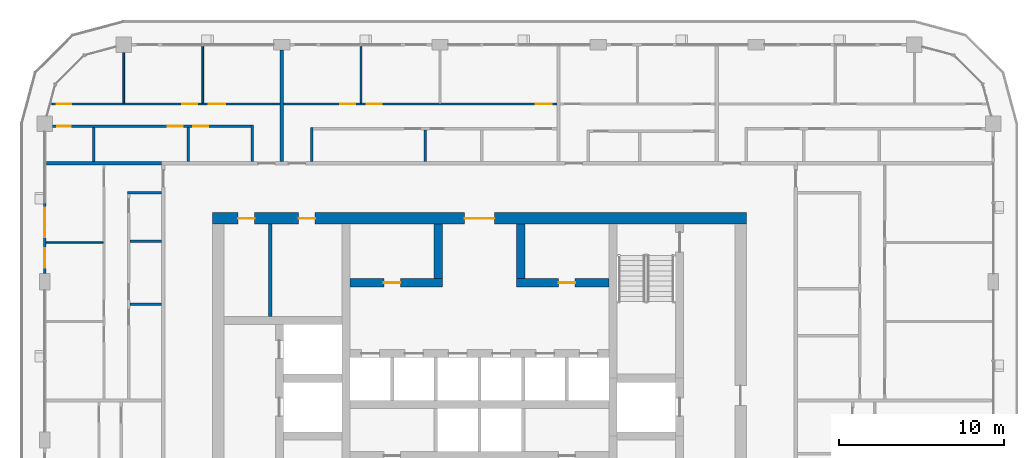
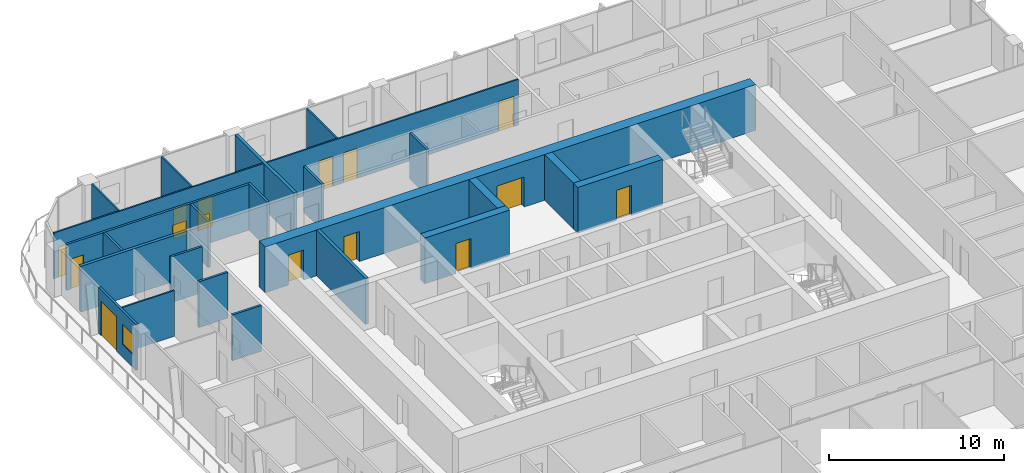
# One storey, part 13 of 21: 24 walls, 15 doors, 1 window, 16 openings.
"""IFC4 building model written with IfcOpenShell, lengths in metres."""

import ifcopenshell
import ifcopenshell.guid

model = None  # the IFC model being written
_history = None  # IfcOwnerHistory: only IFC2X3 demands one
_inside = {}  # id of a spatial element -> (the spatial element, [elements in it])
_under = {}  # id of a project, library or spatial element -> (it, [spatial elements below it])
_declared = {}  # id of a project -> (the project, [libraries it declares])
_typed = {}  # id of a type object -> (the type object, [elements of that type])
_made_of = {}  # id of a material, layer set ... -> (it, [elements and type objects made of it])


def new_model(schema):
    """Start an empty IFC model of exactly this schema.

    Asked for "IFC4X3", IfcOpenShell would pick the latest addendum, in which some entities
    have other attributes; the version numbers below select the first issue.
    IFC2X3 requires an IfcOwnerHistory on every rooted entity: one is made here for all.
    """
    global model, _history
    if schema == "IFC4X3":
        model = ifcopenshell.file(schema_version=(4, 3, 0, 0))
    else:
        model = ifcopenshell.file(schema=schema)
    _inside.clear()
    _under.clear()
    _declared.clear()
    _typed.clear()
    _made_of.clear()
    _history = None
    if model.schema == "IFC2X3":
        org = make("IfcOrganization", Name="unknown")
        user = make(
            "IfcPersonAndOrganization",
            ThePerson=make("IfcPerson", FamilyName="unknown"),
            TheOrganization=org,
        )
        app = make(
            "IfcApplication",
            ApplicationDeveloper=org,
            Version="unknown",
            ApplicationFullName="unknown",
            ApplicationIdentifier="unknown",
        )
        _history = make(
            "IfcOwnerHistory",
            OwningUser=user,
            OwningApplication=app,
            ChangeAction="ADDED",
            CreationDate=0,
        )
    return model


def make(cls, **values):
    """One entity of the class cls with the attributes given. An attribute that is None is left unset."""
    return model.create_entity(
        cls, **{name: value for name, value in values.items() if value is not None}
    )


def rooted(cls, **values):
    """An entity with a GlobalId (a new one), such as an element, a storey or a relation."""
    return make(cls, GlobalId=ifcopenshell.guid.new(), OwnerHistory=_history, **values)


def si_unit(unit_type, name, prefix=None):
    """IfcSIUnit, for example si_unit("LENGTHUNIT", "METRE", prefix="MILLI")."""
    return make("IfcSIUnit", UnitType=unit_type, Prefix=prefix, Name=name)


def assignment(units):
    """IfcUnitAssignment: the units of a project."""
    return None if units is None else make("IfcUnitAssignment", Units=units)


def point(xyz):
    """IfcCartesianPoint."""
    return None if xyz is None else make("IfcCartesianPoint", Coordinates=xyz)


def direction(xyz):
    """IfcDirection."""
    return None if xyz is None else make("IfcDirection", DirectionRatios=xyz)


def frame(location, z_axis=None, x_axis=None):
    """IfcAxis2Placement3D, a coordinate frame: its origin and axes. An axis left out is left unset."""
    return make(
        "IfcAxis2Placement3D",
        Location=point(location),
        Axis=direction(z_axis),
        RefDirection=direction(x_axis),
    )


def frame_2d(location, x_axis=None):
    """IfcAxis2Placement2D, a coordinate frame in the plane: its origin and x axis."""
    return make(
        "IfcAxis2Placement2D", Location=point(location), RefDirection=direction(x_axis)
    )


def origin():
    """The frame at (0, 0, 0) with its axes left unset."""
    return frame((0.0, 0.0, 0.0))


def place(relative_to, where):
    """IfcLocalPlacement: puts the frame where relative to a parent placement (None: the world)."""
    return make(
        "IfcLocalPlacement", PlacementRelTo=relative_to, RelativePlacement=where
    )


def context(
    kind, dimensions, precision=None, world=None, true_north=None, identifier=None
):
    """IfcGeometricRepresentationContext, for example the 3D "Model" context."""
    return make(
        "IfcGeometricRepresentationContext",
        ContextIdentifier=identifier,
        ContextType=kind,
        CoordinateSpaceDimension=dimensions,
        Precision=precision,
        WorldCoordinateSystem=world,
        TrueNorth=true_north,
    )


def subcontext(parent, identifier, kind, view, scale=None):
    """IfcGeometricRepresentationSubContext, for example "Body" below "Model"."""
    return make(
        "IfcGeometricRepresentationSubContext",
        ContextIdentifier=identifier,
        ContextType=kind,
        ParentContext=parent,
        TargetScale=scale,
        TargetView=view,
    )


def project(units=None, contexts=None):
    """IfcProject with its units and contexts."""
    return rooted(
        "IfcProject",
        Name="project",
        RepresentationContexts=contexts,
        UnitsInContext=assignment(units),
    )


def spatial(cls, under=None, at=None, **own):
    """A site, building, storey or space (cls), placed at a placement, below another one or the project."""
    s = rooted(cls, ObjectPlacement=at, **own)
    if under is not None:
        _under.setdefault(under.id(), (under, []))[1].append(s)
    return s


def profile(cls, at=None, kind="AREA", **sizes):
    """A parametric profile (cls). Its sizes go by their IFC names, for example OverallWidth=200.0."""
    return make(cls, ProfileType=kind, Position=at, **sizes)


def rectangle(**sizes):
    """IfcRectangleProfileDef."""
    return profile("IfcRectangleProfileDef", **sizes)


def extrude(swept, where, along, depth):
    """IfcExtrudedAreaSolid: the profile swept, set in the frame where, extruded along a direction by depth."""
    return make(
        "IfcExtrudedAreaSolid",
        SweptArea=swept,
        Position=where,
        ExtrudedDirection=direction(along),
        Depth=depth,
    )


def shape(context_of_items, identifier, shape_type, items):
    """IfcShapeRepresentation: the items that make up one representation, for example the "Body"."""
    return make(
        "IfcShapeRepresentation",
        ContextOfItems=context_of_items,
        RepresentationIdentifier=identifier,
        RepresentationType=shape_type,
        Items=items,
    )


def material(Name=None, Category=None):
    """IfcMaterial."""
    return make("IfcMaterial", Name=Name, Category=Category)


def layer(
    of_material, thickness, ventilated=None, Name=None, Category=None, Priority=None
):
    """IfcMaterialLayer: one layer of a wall or slab, of a material (None: an air gap)."""
    return make(
        "IfcMaterialLayer",
        Material=of_material,
        LayerThickness=thickness,
        IsVentilated=ventilated,
        Name=Name,
        Category=Category,
        Priority=Priority,
    )


def layer_set(layers, Name=None):
    """IfcMaterialLayerSet."""
    return make("IfcMaterialLayerSet", MaterialLayers=layers, LayerSetName=Name)


def made_of(thing, what):
    """Note that an element or type object is made of a material, layer set ...; save() writes the relation."""
    if what is not None:
        _made_of.setdefault(what.id(), (what, []))[1].append(thing)
    return thing


def type_object(cls, material=None, **own):
    """A type object (cls), such as IfcWallType, which elements share."""
    return made_of(rooted(cls, **own), material)


def element(
    cls,
    number,
    at=None,
    inside=None,
    cuts=None,
    type_object=None,
    material=None,
    context=None,
    identifier="Body",
    shape_type=None,
    held_by="IfcProductDefinitionShape",
    body=None,
    shapes=None,
    **own,
):
    """One element of the class cls, such as IfcWall. Its Tag is "e" and its number.

    at: its placement. inside: the storey or other place that contains it. cuts: it is an
    opening in that element (IfcRelVoidsElement). A single representation is given by context,
    identifier, shape_type and body (its items); several are given by shapes. held_by: the class
    of the entity that holds the representations. save() writes the other relations.
    """
    e = rooted(cls, Tag="e%d" % number, ObjectPlacement=at, **own)
    if body is not None:
        shapes = [shape(context, identifier, shape_type, body)]
    if shapes is not None:
        e.Representation = make(held_by, Representations=shapes)
    if inside is not None:
        _inside.setdefault(inside.id(), (inside, []))[1].append(e)
    if cuts is not None:
        rooted(
            "IfcRelVoidsElement", RelatingBuildingElement=cuts, RelatedOpeningElement=e
        )
    if type_object is not None:
        _typed.setdefault(type_object.id(), (type_object, []))[1].append(e)
    return made_of(e, material)


def fill(opening, filler):
    """IfcRelFillsElement: the door or window that sits in an opening."""
    return rooted(
        "IfcRelFillsElement",
        RelatingOpeningElement=opening,
        RelatedBuildingElement=filler,
    )


def aggregate(whole, parts):
    """IfcRelAggregates: a whole, such as a stair, and the parts it consists of."""
    return rooted("IfcRelAggregates", RelatingObject=whole, RelatedObjects=parts)


def save(model, path):
    """Write the relations noted so far, then the file.

    IfcRelAggregates (storeys below a building ...), IfcRelContainedInSpatialStructure (elements
    in a storey), IfcRelDefinesByType, IfcRelAssociatesMaterial and IfcRelDeclares: one each for
    every whole, place, type object, material and project.
    """
    for whole, parts in _under.values():
        aggregate(whole, parts)
    for where, things in _inside.values():
        rooted(
            "IfcRelContainedInSpatialStructure",
            RelatedElements=things,
            RelatingStructure=where,
        )
    for kind, things in _typed.values():
        rooted("IfcRelDefinesByType", RelatedObjects=things, RelatingType=kind)
    for what, things in _made_of.values():
        rooted("IfcRelAssociatesMaterial", RelatedObjects=things, RelatingMaterial=what)
    for by, libraries in _declared.values():
        rooted("IfcRelDeclares", RelatingContext=by, RelatedDefinitions=libraries)
    model.write(path)


model = new_model("IFC4")

# Units and contexts
model_context = context("Model", 3, precision=1e-05, world=origin(), true_north=direction((0.0, 1.0)))
body_context = subcontext(model_context, "Body", "Model", "MODEL_VIEW")
ifc_project = project(units=[si_unit("LENGTHUNIT", "METRE"), si_unit("AREAUNIT", "SQUARE_METRE"), si_unit("VOLUMEUNIT", "CUBIC_METRE"), si_unit("PLANEANGLEUNIT", "RADIAN"), si_unit("MASSUNIT", "GRAM", prefix="KILO")], contexts=[model_context])

# Site, building, storey
site_placement = place(None, origin())
site = spatial("IfcSite", under=ifc_project, at=site_placement, CompositionType="ELEMENT")
building_placement = place(site_placement, origin())
building = spatial("IfcBuilding", under=site, at=building_placement, Name="Madar Terraces", CompositionType="ELEMENT")
storey_placement = place(building_placement, frame((0.0, 0.0, 196.39990234375)))
storey = spatial("IfcBuildingStorey", under=building, at=storey_placement, Name="L51", CompositionType="ELEMENT", Elevation=196.39990234375)

# Wall, opening, door
ifc_material_1 = material(Name="Concrete C60/75", Category="concrete")
ifc_layer_1 = layer(ifc_material_1, 0.5)
ifc_layer_set_1 = layer_set([ifc_layer_1], Name="Concrete C60/75 (CIW4 RC wall 500)")
wall_type_1 = type_object("IfcWallType", Name="CIW4 RC wall 500", PredefinedType="SHEAR", material=ifc_layer_set_1)
wall_1_placement = place(storey_placement, frame((23.35009765625, 33.550048828125, 0.0), z_axis=(0.0, 0.0, 1.0), x_axis=(1.0, 0.0, 0.0)))
wall_1 = element("IfcWall", 1, at=wall_1_placement, inside=storey, type_object=wall_type_1, Name="CORE SHAFT WALL", PredefinedType="SHEAR", context=body_context, shape_type="SweptSolid", body=[
    extrude(rectangle(XDim=5.599853515625, YDim=0.5, at=frame_2d((2.7998046875, 0.0))), origin(), (0.0, 0.0, 1.0), 3.2001953125),
])
opening_1_placement = place(wall_1_placement, frame((2.050048828125, 0.0, 0.0)))
opening_1 = element("IfcOpeningElement", 2, at=opening_1_placement, cuts=wall_1, Name="Opening KD2", PredefinedType="OPENING", context=body_context, shape_type="SweptSolid", body=[
    extrude(rectangle(XDim=1.0, YDim=2.10009765625, at=frame_2d((0.5, 1.050048828125))), frame((0.0, 0.260009765625, 0.0), z_axis=(0.0, -1.0, 0.0), x_axis=(1.0, 0.0, 0.0)), (0.0, 0.0, 1.0), 0.52001953125),
])
ifc_material_2 = material(Name="Steel door leaf", Category="steel")
door_type_1 = type_object("IfcDoorType", Name="Service room door 1000 x 2100", OperationType="NOTDEFINED", PredefinedType="DOOR", material=ifc_material_2)
door_1_placement = place(opening_1_placement, frame((1.0, 0.0, 0.0), z_axis=(0.0, 0.0, 1.0), x_axis=(-1.0, 0.0, 0.0)))
door_1 = element("IfcDoor", 3, at=door_1_placement, inside=storey, type_object=door_type_1, Name="SERVICE ROOM DOOR", OperationType="SINGLE_SWING_RIGHT", OverallHeight=2.10009765625, OverallWidth=1.0, PredefinedType="DOOR", context=body_context, shape_type="SweptSolid", body=[
    extrude(rectangle(XDim=1.0, YDim=2.10009765625, at=frame_2d((0.5, 1.050048828125))), frame((0.0, 0.02490234375, 0.0), z_axis=(0.0, -1.0, 0.0), x_axis=(1.0, 0.0, 0.0)), (0.0, 0.0, 1.0), 0.050048828125),
])
fill(opening_1, door_1)

wall_2_placement = place(storey_placement, frame((33.449951171875, 33.550048828125, 0.0), z_axis=(0.0, 0.0, 1.0), x_axis=(1.0, 0.0, 0.0)))
wall_2 = element("IfcWall", 4, at=wall_2_placement, inside=storey, type_object=wall_type_1, Name="CORE SHAFT WALL", PredefinedType="SHEAR", context=body_context, shape_type="SweptSolid", body=[
    extrude(rectangle(XDim=5.60009765625, YDim=0.5, at=frame_2d((2.800048828125, 0.0))), origin(), (0.0, 0.0, 1.0), 3.2001953125),
])
opening_2_placement = place(wall_2_placement, frame((2.550048828125, 0.0, 0.0)))
opening_2 = element("IfcOpeningElement", 5, at=opening_2_placement, cuts=wall_2, Name="Opening KD2", PredefinedType="OPENING", context=body_context, shape_type="SweptSolid", body=[
    extrude(rectangle(XDim=1.0, YDim=2.10009765625, at=frame_2d((0.5, 1.050048828125))), frame((0.0, 0.260009765625, 0.0), z_axis=(0.0, -1.0, 0.0), x_axis=(1.0, 0.0, 0.0)), (0.0, 0.0, 1.0), 0.52001953125),
])
door_2_placement = place(opening_2_placement, frame((1.0, 0.0, 0.0), z_axis=(0.0, 0.0, 1.0), x_axis=(-1.0, 0.0, 0.0)))
door_2 = element("IfcDoor", 6, at=door_2_placement, inside=storey, type_object=door_type_1, Name="SERVICE ROOM DOOR", OperationType="SINGLE_SWING_LEFT", OverallHeight=2.10009765625, OverallWidth=1.0, PredefinedType="DOOR", context=body_context, shape_type="SweptSolid", body=[
    extrude(rectangle(XDim=1.0, YDim=2.10009765625, at=frame_2d((0.5, 1.050048828125))), frame((0.0, 0.02490234375, 0.0), z_axis=(0.0, -1.0, 0.0), x_axis=(1.0, 0.0, 0.0)), (0.0, 0.0, 1.0), 0.050048828125),
])
fill(opening_2, door_2)

# Walls
for number, where, z_axis, x_axis, name in (
    (7, (28.699951171875, 33.800048828125, 0.0), (0.0, 0.0, 1.0), (0.0, 1.0, 0.0), "CORE SHAFT WALL"),
    (8, (33.699951171875, 33.800048828125, 0.0), (0.0, 0.0, 1.0), (0.0, 1.0, 0.0), "CORE SHAFT WALL"),
):
    element("IfcWall", number, at=place(storey_placement, frame(where, z_axis=z_axis, x_axis=x_axis)), inside=storey, type_object=wall_type_1, Name=name, PredefinedType="SHEAR", context=body_context, shape_type="SweptSolid", body=[
        extrude(rectangle(XDim=3.300048828125, YDim=0.5, at=frame_2d((1.64990234375, 0.0))), origin(), (0.0, 0.0, 1.0), 3.2001953125),
    ])

# Wall, openings, doors
ifc_material_3 = material(Name="Concrete C60/75", Category="concrete")
ifc_layer_2 = layer(ifc_material_3, 0.699951171875)
ifc_layer_set_2 = layer_set([ifc_layer_2], Name="Concrete C60/75 (CRW4 RC wall 700)")
wall_type_2 = type_object("IfcWallType", Name="CRW4 RC wall 700", PredefinedType="SHEAR", material=ifc_layer_set_2)
wall_3_placement = place(storey_placement, frame((15.0, 37.449951171875, 0.0), z_axis=(0.0, 0.0, 1.0), x_axis=(1.0, 0.0, 0.0)))
wall_3 = element("IfcWall", 9, at=wall_3_placement, inside=storey, type_object=wall_type_2, Name="CORE OUTER WALL", PredefinedType="SHEAR", context=body_context, shape_type="SweptSolid", body=[
    extrude(rectangle(XDim=32.39990234375, YDim=0.699951171875, at=frame_2d((16.199951171875, 0.0))), origin(), (0.0, 0.0, 1.0), 3.2001953125),
])
opening_3_placement = place(wall_3_placement, frame((15.300048828125, 0.0, 0.0)))
opening_3 = element("IfcOpeningElement", 10, at=opening_3_placement, cuts=wall_3, Name="Opening KD1", PredefinedType="OPENING", context=body_context, shape_type="SweptSolid", body=[
    extrude(rectangle(XDim=1.800048828125, YDim=2.10009765625, at=frame_2d((0.89990234375, 1.050048828125))), frame((0.0, 0.35986328125, 0.0), z_axis=(0.0, -1.0, 0.0), x_axis=(1.0, 0.0, 0.0)), (0.0, 0.0, 1.0), 0.719970703125),
])
opening_4_placement = place(wall_3_placement, frame((1.544189453125, 0.0, 0.0)))
opening_4 = element("IfcOpeningElement", 11, at=opening_4_placement, cuts=wall_3, Name="Opening KD2", PredefinedType="OPENING", context=body_context, shape_type="SweptSolid", body=[
    extrude(rectangle(XDim=1.0, YDim=2.10009765625, at=frame_2d((0.5, 1.050048828125))), frame((0.0, 0.35986328125, 0.0), z_axis=(0.0, -1.0, 0.0), x_axis=(1.0, 0.0, 0.0)), (0.0, 0.0, 1.0), 0.719970703125),
])
opening_5_placement = place(wall_3_placement, frame((5.21923828125, 0.0, 0.0)))
opening_5 = element("IfcOpeningElement", 12, at=opening_5_placement, cuts=wall_3, Name="Opening KD2", PredefinedType="OPENING", context=body_context, shape_type="SweptSolid", body=[
    extrude(rectangle(XDim=1.0, YDim=2.10009765625, at=frame_2d((0.5, 1.050048828125))), frame((0.0, 0.35986328125, 0.0), z_axis=(0.0, -1.0, 0.0), x_axis=(1.0, 0.0, 0.0)), (0.0, 0.0, 1.0), 0.719970703125),
])
ifc_material_4 = material(Name="Steel door leaf", Category="steel")
door_type_2 = type_object("IfcDoorType", Name="Lobby door pair 1800 x 2100", OperationType="DOUBLE_DOOR_SINGLE_SWING", PredefinedType="DOOR", material=ifc_material_4)
door_3_placement = place(opening_3_placement, origin())
door_3 = element("IfcDoor", 13, at=door_3_placement, inside=storey, type_object=door_type_2, Name="LIFT LOBBY DOOR", OperationType="DOUBLE_DOOR_SINGLE_SWING", OverallHeight=2.10009765625, OverallWidth=1.800048828125, PredefinedType="DOOR", context=body_context, shape_type="SweptSolid", body=[
    extrude(rectangle(XDim=1.800048828125, YDim=2.10009765625, at=frame_2d((0.89990234375, 1.050048828125))), frame((0.0, 0.02490234375, 0.0), z_axis=(0.0, -1.0, 0.0), x_axis=(1.0, 0.0, 0.0)), (0.0, 0.0, 1.0), 0.050048828125),
])
fill(opening_3, door_3)
door_4_placement = place(opening_4_placement, origin())
door_4 = element("IfcDoor", 14, at=door_4_placement, inside=storey, type_object=door_type_1, Name="SERVICE ROOM DOOR", OperationType="SINGLE_SWING_RIGHT", OverallHeight=2.10009765625, OverallWidth=1.0, PredefinedType="DOOR", context=body_context, shape_type="SweptSolid", body=[
    extrude(rectangle(XDim=1.0, YDim=2.10009765625, at=frame_2d((0.5, 1.050048828125))), frame((0.0, 0.02490234375, 0.0), z_axis=(0.0, -1.0, 0.0), x_axis=(1.0, 0.0, 0.0)), (0.0, 0.0, 1.0), 0.050048828125),
])
fill(opening_4, door_4)
door_5_placement = place(opening_5_placement, origin())
door_5 = element("IfcDoor", 15, at=door_5_placement, inside=storey, type_object=door_type_1, Name="SERVICE ROOM DOOR", OperationType="SINGLE_SWING_LEFT", OverallHeight=2.10009765625, OverallWidth=1.0, PredefinedType="DOOR", context=body_context, shape_type="SweptSolid", body=[
    extrude(rectangle(XDim=1.0, YDim=2.10009765625, at=frame_2d((0.5, 1.050048828125))), frame((0.0, 0.02490234375, 0.0), z_axis=(0.0, -1.0, 0.0), x_axis=(1.0, 0.0, 0.0)), (0.0, 0.0, 1.0), 0.050048828125),
])
fill(opening_5, door_5)

# Wall
ifc_material_5 = material(Name="Masonry blockwork", Category="masonry")
ifc_layer_3 = layer(ifc_material_5, 0.199951171875)
ifc_layer_set_3 = layer_set([ifc_layer_3], Name="Core partition 200 blockwork")
wall_type_3 = type_object("IfcWallType", Name="Core partition 200 blockwork", PredefinedType="PARTITIONING", material=ifc_layer_set_3)
wall_4_placement = place(storey_placement, frame((18.488525390625, 31.5, 0.0), z_axis=(0.0, 0.0, 1.0), x_axis=(0.0, 1.0, 0.0)))
element("IfcWall", 16, at=wall_4_placement, inside=storey, type_object=wall_type_3, Name="SERVICE ROOM PARTITION", PredefinedType="PARTITIONING", context=body_context, shape_type="SweptSolid", body=[
    extrude(rectangle(XDim=5.60009765625, YDim=0.199951171875, at=frame_2d((2.800048828125, 0.0))), origin(), (0.0, 0.0, 1.0), 3.2001953125),
])

# Wall, openings, door, window
ifc_material_6 = material(Name="Aluminium composite panel, black, over insulated backing", Category="aluminium")
ifc_layer_4 = layer(ifc_material_6, 0.14990234375)
ifc_layer_set_4 = layer_set([ifc_layer_4], Name="Facade bay panel 150")
wall_type_4 = type_object("IfcWallType", Name="Facade bay panel 150", PredefinedType="SOLIDWALL", material=ifc_layer_set_4)
wall_5_placement = place(storey_placement, frame((4.800048828125, 38.39990234375, 0.0), z_axis=(0.0, 0.0, 1.0), x_axis=(0.0, -1.0, 0.0)))
wall_5 = element("IfcWall", 17, at=wall_5_placement, inside=storey, type_object=wall_type_4, Name="Facade bay panel", PredefinedType="SOLIDWALL", context=body_context, shape_type="SweptSolid", body=[
    extrude(rectangle(XDim=4.2998046875, YDim=0.14990234375, at=frame_2d((2.14990234375, 0.0))), origin(), (0.0, 0.0, 1.0), 3.2001953125),
])
opening_6_placement = place(wall_5_placement, frame((0.300048828125, 0.0, 0.0)))
opening_6 = element("IfcOpeningElement", 18, at=opening_6_placement, cuts=wall_5, Name="Opening ED1", PredefinedType="OPENING", context=body_context, shape_type="SweptSolid", body=[
    extrude(rectangle(XDim=1.800048828125, YDim=2.39990234375, at=frame_2d((0.89990234375, 1.199951171875))), frame((0.0, 0.0849609375, 0.0), z_axis=(0.0, -1.0, 0.0), x_axis=(1.0, 0.0, 0.0)), (0.0, 0.0, 1.0), 0.169921875),
])
opening_7_placement = place(wall_5_placement, frame((2.75, 0.0, 0.89990234375)))
opening_7 = element("IfcOpeningElement", 19, at=opening_7_placement, cuts=wall_5, Name="Opening W1", PredefinedType="OPENING", context=body_context, shape_type="SweptSolid", body=[
    extrude(rectangle(XDim=1.199951171875, YDim=1.39990234375, at=frame_2d((0.60009765625, 0.699951171875))), frame((0.0, 0.0849609375, 0.0), z_axis=(0.0, -1.0, 0.0), x_axis=(1.0, 0.0, 0.0)), (0.0, 0.0, 1.0), 0.169921875),
])
ifc_material_7 = material(Name="Glass, clear, with black aluminium frame", Category="aluminium")
door_type_3 = type_object("IfcDoorType", Name="Balcony and terrace sliding door 1800 x 2400", OperationType="SLIDING_TO_LEFT", PredefinedType="DOOR", material=ifc_material_7)
door_6_placement = place(opening_6_placement, origin())
door_6 = element("IfcDoor", 20, at=door_6_placement, inside=storey, type_object=door_type_3, Name="Balcony door", OperationType="SLIDING_TO_RIGHT", OverallHeight=2.39990234375, OverallWidth=1.800048828125, PredefinedType="DOOR", context=body_context, shape_type="SweptSolid", body=[
    extrude(rectangle(XDim=1.800048828125, YDim=2.39990234375, at=frame_2d((0.89990234375, 1.199951171875))), frame((0.0, 0.02490234375, 0.0), z_axis=(0.0, -1.0, 0.0), x_axis=(1.0, 0.0, 0.0)), (0.0, 0.0, 1.0), 0.050048828125),
])
fill(opening_6, door_6)
ifc_material_8 = material(Name="Glass, clear, with black aluminium frame", Category="aluminium")
window_type = type_object("IfcWindowType", Name="Vent window 1200 x 1400", PartitioningType="SINGLE_PANEL", PredefinedType="WINDOW", material=ifc_material_8)
window_placement = place(opening_7_placement, origin())
window = element("IfcWindow", 21, at=window_placement, inside=storey, type_object=window_type, Name="Operable vent window", OverallHeight=1.39990234375, OverallWidth=1.199951171875, PartitioningType="SINGLE_PANEL", PredefinedType="WINDOW", context=body_context, shape_type="SweptSolid", body=[
    extrude(rectangle(XDim=1.199951171875, YDim=1.39990234375, at=frame_2d((0.60009765625, 0.699951171875))), frame((0.0, 0.030029296875, 0.0), z_axis=(0.0, -1.0, 0.0), x_axis=(1.0, 0.0, 0.0)), (0.0, 0.0, 1.0), 0.06005859375),
])
fill(opening_7, window)

# Wall
ifc_material_9 = material(Name="Gypsum board on steel studs", Category="steel")
ifc_layer_5 = layer(ifc_material_9, 0.10009765625)
ifc_layer_set_5 = layer_set([ifc_layer_5], Name="Flat partition 100")
wall_type_5 = type_object("IfcWallType", Name="Flat partition 100", PredefinedType="PARTITIONING", material=ifc_layer_set_5)
wall_6_placement = place(storey_placement, frame((24.0, 44.449951171875, 0.0), z_axis=(0.0, 0.0, 1.0), x_axis=(0.0, 1.0, 0.0)))
element("IfcWall", 22, at=wall_6_placement, inside=storey, type_object=wall_type_5, Name="Flat partition 100", PredefinedType="PARTITIONING", context=body_context, shape_type="SweptSolid", body=[
    extrude(rectangle(XDim=3.449951171875, YDim=0.10009765625, at=frame_2d((1.72509765625, 0.0))), origin(), (0.0, 0.0, 1.0), 3.2001953125),
])

# Wall, openings, doors
wall_7_placement = place(storey_placement, frame((19.300048828125, 44.39990234375, 0.0), z_axis=(0.0, 0.0, 1.0), x_axis=(1.0, 0.0, 0.0)))
wall_7 = element("IfcWall", 23, at=wall_7_placement, inside=storey, type_object=wall_type_5, Name="Flat partition 100", PredefinedType="PARTITIONING", context=body_context, shape_type="SweptSolid", body=[
    extrude(rectangle(XDim=16.599853515625, YDim=0.10009765625, at=frame_2d((8.2998046875, 0.0))), origin(), (0.0, 0.0, 1.0), 3.2001953125),
])
opening_8_placement = place(wall_7_placement, frame((3.449951171875, 0.0, 0.0)))
opening_8 = element("IfcOpeningElement", 24, at=opening_8_placement, cuts=wall_7, Name="Opening D2", PredefinedType="OPENING", context=body_context, shape_type="SweptSolid", body=[
    extrude(rectangle(XDim=0.89990234375, YDim=2.10009765625, at=frame_2d((0.449951171875, 1.050048828125))), frame((0.0, 0.06005859375, 0.0), z_axis=(0.0, -1.0, 0.0), x_axis=(1.0, 0.0, 0.0)), (0.0, 0.0, 1.0), 0.1201171875),
])
opening_9_placement = place(wall_7_placement, frame((5.050048828125, 0.0, 0.0)))
opening_9 = element("IfcOpeningElement", 25, at=opening_9_placement, cuts=wall_7, Name="Opening D2", PredefinedType="OPENING", context=body_context, shape_type="SweptSolid", body=[
    extrude(rectangle(XDim=0.89990234375, YDim=2.10009765625, at=frame_2d((0.449951171875, 1.050048828125))), frame((0.0, 0.06005859375, 0.0), z_axis=(0.0, -1.0, 0.0), x_axis=(1.0, 0.0, 0.0)), (0.0, 0.0, 1.0), 0.1201171875),
])
opening_10_placement = place(wall_7_placement, frame((15.300048828125, 0.0, 0.0)))
opening_10 = element("IfcOpeningElement", 26, at=opening_10_placement, cuts=wall_7, Name="Opening D3", PredefinedType="OPENING", context=body_context, shape_type="SweptSolid", body=[
    extrude(rectangle(XDim=1.0, YDim=2.10009765625, at=frame_2d((0.5, 1.050048828125))), frame((0.0, 0.06005859375, 0.0), z_axis=(0.0, -1.0, 0.0), x_axis=(1.0, 0.0, 0.0)), (0.0, 0.0, 1.0), 0.1201171875),
])
ifc_material_10 = material(Name="Timber door leaf", Category="wood")
door_type_4 = type_object("IfcDoorType", Name="Flat living room door 1000", OperationType="NOTDEFINED", PredefinedType="DOOR", material=ifc_material_10)
door_7_placement = place(opening_10_placement, origin())
door_7 = element("IfcDoor", 27, at=door_7_placement, inside=storey, type_object=door_type_4, Name="Flat living room door 1000", OperationType="SINGLE_SWING_RIGHT", OverallHeight=2.10009765625, OverallWidth=1.0, PredefinedType="DOOR", context=body_context, shape_type="SweptSolid", body=[
    extrude(rectangle(XDim=1.0, YDim=2.10009765625, at=frame_2d((0.5, 1.050048828125))), frame((0.0, 0.02490234375, 0.0), z_axis=(0.0, -1.0, 0.0), x_axis=(1.0, 0.0, 0.0)), (0.0, 0.0, 1.0), 0.050048828125),
])
fill(opening_10, door_7)
ifc_material_11 = material(Name="Timber door leaf", Category="wood")
door_type_5 = type_object("IfcDoorType", Name="Flat room door 900", OperationType="NOTDEFINED", PredefinedType="DOOR", material=ifc_material_11)
door_8_placement = place(opening_8_placement, origin())
door_8 = element("IfcDoor", 28, at=door_8_placement, inside=storey, type_object=door_type_5, Name="Flat room door 900", OperationType="SINGLE_SWING_RIGHT", OverallHeight=2.10009765625, OverallWidth=0.89990234375, PredefinedType="DOOR", context=body_context, shape_type="SweptSolid", body=[
    extrude(rectangle(XDim=0.89990234375, YDim=2.10009765625, at=frame_2d((0.449951171875, 1.050048828125))), frame((0.0, 0.02490234375, 0.0), z_axis=(0.0, -1.0, 0.0), x_axis=(1.0, 0.0, 0.0)), (0.0, 0.0, 1.0), 0.050048828125),
])
fill(opening_8, door_8)
door_9_placement = place(opening_9_placement, origin())
door_9 = element("IfcDoor", 29, at=door_9_placement, inside=storey, type_object=door_type_5, Name="Flat room door 900", OperationType="SINGLE_SWING_LEFT", OverallHeight=2.10009765625, OverallWidth=0.89990234375, PredefinedType="DOOR", context=body_context, shape_type="SweptSolid", body=[
    extrude(rectangle(XDim=0.89990234375, YDim=2.10009765625, at=frame_2d((0.449951171875, 1.050048828125))), frame((0.0, 0.02490234375, 0.0), z_axis=(0.0, -1.0, 0.0), x_axis=(1.0, 0.0, 0.0)), (0.0, 0.0, 1.0), 0.050048828125),
])
fill(opening_9, door_9)

# Walls
wall_8_placement = place(storey_placement, frame((14.39990234375, 44.449951171875, 0.0), z_axis=(0.0, 0.0, 1.0), x_axis=(0.0, 1.0, 0.0)))
element("IfcWall", 30, at=wall_8_placement, inside=storey, type_object=wall_type_5, Name="Flat partition 100", PredefinedType="PARTITIONING", context=body_context, shape_type="SweptSolid", body=[
    extrude(rectangle(XDim=3.449951171875, YDim=0.10009765625, at=frame_2d((1.72509765625, 0.0))), origin(), (0.0, 0.0, 1.0), 3.2001953125),
])
wall_9_placement = place(storey_placement, frame((9.60009765625, 44.449951171875, 0.0), z_axis=(0.0, 0.0, 1.0), x_axis=(0.0, 1.0, 0.0)))
element("IfcWall", 31, at=wall_9_placement, inside=storey, type_object=wall_type_5, Name="Flat partition 100", PredefinedType="PARTITIONING", context=body_context, shape_type="SweptSolid", body=[
    extrude(rectangle(XDim=3.074951171875, YDim=0.10009765625, at=frame_2d((1.53759765625, 0.0))), origin(), (0.0, 0.0, 1.0), 3.2001953125),
])

# Wall, openings, doors
wall_10_placement = place(storey_placement, frame((5.221435546875, 44.39990234375, 0.0), z_axis=(0.0, 0.0, 1.0), x_axis=(1.0, 0.0, 0.0)))
wall_10 = element("IfcWall", 32, at=wall_10_placement, inside=storey, type_object=wall_type_5, Name="Flat partition 100", PredefinedType="PARTITIONING", context=body_context, shape_type="SweptSolid", body=[
    extrude(rectangle(XDim=13.878662109375, YDim=0.10009765625, at=frame_2d((6.939453125, 0.0))), origin(), (0.0, 0.0, 1.0), 3.2001953125),
])
opening_11_placement = place(wall_10_placement, frame((9.528564453125, 0.0, 0.0)))
opening_11 = element("IfcOpeningElement", 33, at=opening_11_placement, cuts=wall_10, Name="Opening D3", PredefinedType="OPENING", context=body_context, shape_type="SweptSolid", body=[
    extrude(rectangle(XDim=1.0, YDim=2.10009765625, at=frame_2d((0.5, 1.050048828125))), frame((0.0, 0.06005859375, 0.0), z_axis=(0.0, -1.0, 0.0), x_axis=(1.0, 0.0, 0.0)), (0.0, 0.0, 1.0), 0.1201171875),
])
opening_12_placement = place(wall_10_placement, frame((7.928466796875, 0.0, 0.0)))
opening_12 = element("IfcOpeningElement", 34, at=opening_12_placement, cuts=wall_10, Name="Opening D2", PredefinedType="OPENING", context=body_context, shape_type="SweptSolid", body=[
    extrude(rectangle(XDim=0.89990234375, YDim=2.10009765625, at=frame_2d((0.449951171875, 1.050048828125))), frame((0.0, 0.06005859375, 0.0), z_axis=(0.0, -1.0, 0.0), x_axis=(1.0, 0.0, 0.0)), (0.0, 0.0, 1.0), 0.1201171875),
])
opening_13_placement = place(wall_10_placement, frame((0.300048828125, 0.0, 0.0)))
opening_13 = element("IfcOpeningElement", 35, at=opening_13_placement, cuts=wall_10, Name="Opening D2", PredefinedType="OPENING", context=body_context, shape_type="SweptSolid", body=[
    extrude(rectangle(XDim=0.89990234375, YDim=2.10009765625, at=frame_2d((0.449951171875, 1.050048828125))), frame((0.0, 0.06005859375, 0.0), z_axis=(0.0, -1.0, 0.0), x_axis=(1.0, 0.0, 0.0)), (0.0, 0.0, 1.0), 0.1201171875),
])
door_10_placement = place(opening_11_placement, origin())
door_10 = element("IfcDoor", 36, at=door_10_placement, inside=storey, type_object=door_type_4, Name="Flat living room door 1000", OperationType="SINGLE_SWING_LEFT", OverallHeight=2.10009765625, OverallWidth=1.0, PredefinedType="DOOR", context=body_context, shape_type="SweptSolid", body=[
    extrude(rectangle(XDim=1.0, YDim=2.10009765625, at=frame_2d((0.5, 1.050048828125))), frame((0.0, 0.02490234375, 0.0), z_axis=(0.0, -1.0, 0.0), x_axis=(1.0, 0.0, 0.0)), (0.0, 0.0, 1.0), 0.050048828125),
])
fill(opening_11, door_10)
door_11_placement = place(opening_12_placement, origin())
door_11 = element("IfcDoor", 37, at=door_11_placement, inside=storey, type_object=door_type_5, Name="Flat room door 900", OperationType="SINGLE_SWING_RIGHT", OverallHeight=2.10009765625, OverallWidth=0.89990234375, PredefinedType="DOOR", context=body_context, shape_type="SweptSolid", body=[
    extrude(rectangle(XDim=0.89990234375, YDim=2.10009765625, at=frame_2d((0.449951171875, 1.050048828125))), frame((0.0, 0.02490234375, 0.0), z_axis=(0.0, -1.0, 0.0), x_axis=(1.0, 0.0, 0.0)), (0.0, 0.0, 1.0), 0.050048828125),
])
fill(opening_12, door_11)
door_12_placement = place(opening_13_placement, origin())
door_12 = element("IfcDoor", 38, at=door_12_placement, inside=storey, type_object=door_type_5, Name="Flat room door 900", OperationType="SINGLE_SWING_LEFT", OverallHeight=2.10009765625, OverallWidth=0.89990234375, PredefinedType="DOOR", context=body_context, shape_type="SweptSolid", body=[
    extrude(rectangle(XDim=0.89990234375, YDim=2.10009765625, at=frame_2d((0.449951171875, 1.050048828125))), frame((0.0, 0.02490234375, 0.0), z_axis=(0.0, -1.0, 0.0), x_axis=(1.0, 0.0, 0.0)), (0.0, 0.0, 1.0), 0.050048828125),
])
fill(opening_13, door_12)

# Walls
wall_11_placement = place(storey_placement, frame((8.35009765625, 36.0, 0.0), z_axis=(0.0, 0.0, 1.0), x_axis=(-1.0, 0.0, 0.0)))
element("IfcWall", 39, at=wall_11_placement, inside=storey, type_object=wall_type_5, Name="Flat partition 100", PredefinedType="PARTITIONING", context=body_context, shape_type="SweptSolid", body=[
    extrude(rectangle(XDim=3.4501953125, YDim=0.10009765625, at=frame_2d((1.72509765625, 0.0))), origin(), (0.0, 0.0, 1.0), 3.2001953125),
])
ifc_material_12 = material(Name="Lightweight blockwork", Category="masonry")
ifc_layer_6 = layer(ifc_material_12, 0.199951171875)
ifc_layer_set_6 = layer_set([ifc_layer_6], Name="Flat party and entrance wall 200")
wall_type_6 = type_object("IfcWallType", Name="Flat party and entrance wall 200", PredefinedType="PARTITIONING", material=ifc_layer_set_6)
wall_12_placement = place(storey_placement, frame((19.199951171875, 47.675048828125, 0.0), z_axis=(0.0, 0.0, 1.0), x_axis=(0.0, -1.0, 0.0)))
element("IfcWall", 40, at=wall_12_placement, inside=storey, type_object=wall_type_6, Name="Flat party and entrance wall 200", PredefinedType="PARTITIONING", context=body_context, shape_type="SweptSolid", body=[
    extrude(rectangle(XDim=6.775146484375, YDim=0.199951171875, at=frame_2d((3.3876953125, 0.0))), origin(), (0.0, 0.0, 1.0), 3.2001953125),
])
wall_13_placement = place(storey_placement, frame((4.89990234375, 40.800048828125, 0.0), z_axis=(0.0, 0.0, 1.0), x_axis=(1.0, 0.0, 0.0)))
element("IfcWall", 41, at=wall_13_placement, inside=storey, type_object=wall_type_6, Name="Flat party and entrance wall 200", PredefinedType="PARTITIONING", context=body_context, shape_type="SweptSolid", body=[
    extrude(rectangle(XDim=7.0, YDim=0.199951171875, at=frame_2d((3.5, 0.0))), origin(), (0.0, 0.0, 1.0), 3.2001953125),
])
ifc_material_13 = material(Name="Lightweight blockwork", Category="masonry")
ifc_layer_7 = layer(ifc_material_13, 0.14990234375)
ifc_layer_set_7 = layer_set([ifc_layer_7], Name="Flat wet-room partition 150")
wall_type_7 = type_object("IfcWallType", Name="Flat wet-room partition 150", PredefinedType="PARTITIONING", material=ifc_layer_set_7)
wall_14_placement = place(storey_placement, frame((27.917236328125, 40.89990234375, 0.0), z_axis=(0.0, 0.0, 1.0), x_axis=(0.0, 1.0, 0.0)))
element("IfcWall", 42, at=wall_14_placement, inside=storey, type_object=wall_type_7, Name="Flat wet-room partition 150", PredefinedType="PARTITIONING", context=body_context, shape_type="SweptSolid", body=[
    extrude(rectangle(XDim=1.925048828125, YDim=0.14990234375, at=frame_2d((0.96240234375, 0.0))), origin(), (0.0, 0.0, 1.0), 3.2001953125),
])
for number, where, z_axis, x_axis, name in (
    (43, (21.0, 40.89990234375, 0.0), (0.0, 0.0, 1.0), (0.0, 1.0, 0.0), "Flat wet-room partition 150"),
    (44, (13.501953125, 40.89990234375, 0.0), (0.0, 0.0, 1.0), (0.0, 1.0, 0.0), "Flat wet-room partition 150"),
    (45, (7.767333984375, 40.89990234375, 0.0), (0.0, 0.0, 1.0), (0.0, 1.0, 0.0), "Flat wet-room partition 150"),
):
    element("IfcWall", number, at=place(storey_placement, frame(where, z_axis=z_axis, x_axis=x_axis)), inside=storey, type_object=wall_type_7, Name=name, PredefinedType="PARTITIONING", context=body_context, shape_type="SweptSolid", body=[
        extrude(rectangle(XDim=2.0751953125, YDim=0.14990234375, at=frame_2d((1.03759765625, 0.0))), origin(), (0.0, 0.0, 1.0), 3.2001953125),
    ])
wall_15_placement = place(storey_placement, frame((17.39990234375, 40.89990234375, 0.0), z_axis=(0.0, 0.0, 1.0), x_axis=(0.0, 1.0, 0.0)))
element("IfcWall", 46, at=wall_15_placement, inside=storey, type_object=wall_type_7, Name="Flat wet-room partition 150", PredefinedType="PARTITIONING", context=body_context, shape_type="SweptSolid", body=[
    extrude(rectangle(XDim=2.22509765625, YDim=0.14990234375, at=frame_2d((1.112548828125, 0.0))), origin(), (0.0, 0.0, 1.0), 3.2001953125),
])

# Wall, openings, doors
wall_16_placement = place(storey_placement, frame((17.324951171875, 43.050048828125, 0.0), z_axis=(0.0, 0.0, 1.0), x_axis=(-1.0, 0.0, 0.0)))
wall_16 = element("IfcWall", 47, at=wall_16_placement, inside=storey, type_object=wall_type_7, Name="Flat wet-room partition 150", PredefinedType="PARTITIONING", context=body_context, shape_type="SweptSolid", body=[
    extrude(rectangle(XDim=12.050048828125, YDim=0.14990234375, at=frame_2d((6.02490234375, 0.0))), origin(), (0.0, 0.0, 1.0), 3.2001953125),
])
opening_14_placement = place(wall_16_placement, frame((2.59814453125, 0.0, 0.0)))
opening_14 = element("IfcOpeningElement", 48, at=opening_14_placement, cuts=wall_16, Name="Opening D5", PredefinedType="OPENING", context=body_context, shape_type="SweptSolid", body=[
    extrude(rectangle(XDim=0.89990234375, YDim=2.10009765625, at=frame_2d((0.449951171875, 1.050048828125))), frame((0.0, 0.0849609375, 0.0), z_axis=(0.0, -1.0, 0.0), x_axis=(1.0, 0.0, 0.0)), (0.0, 0.0, 1.0), 0.169921875),
])
opening_15_placement = place(wall_16_placement, frame((4.148193359375, 0.0, 0.0)))
opening_15 = element("IfcOpeningElement", 49, at=opening_15_placement, cuts=wall_16, Name="Opening D2", PredefinedType="OPENING", context=body_context, shape_type="SweptSolid", body=[
    extrude(rectangle(XDim=0.89990234375, YDim=2.10009765625, at=frame_2d((0.449951171875, 1.050048828125))), frame((0.0, 0.0849609375, 0.0), z_axis=(0.0, -1.0, 0.0), x_axis=(1.0, 0.0, 0.0)), (0.0, 0.0, 1.0), 0.169921875),
])
opening_16_placement = place(wall_16_placement, frame((10.949951171875, 0.0, 0.0)))
opening_16 = element("IfcOpeningElement", 50, at=opening_16_placement, cuts=wall_16, Name="Opening D4", PredefinedType="OPENING", context=body_context, shape_type="SweptSolid", body=[
    extrude(rectangle(XDim=0.800048828125, YDim=2.10009765625, at=frame_2d((0.39990234375, 1.050048828125))), frame((0.0, 0.0849609375, 0.0), z_axis=(0.0, -1.0, 0.0), x_axis=(1.0, 0.0, 0.0)), (0.0, 0.0, 1.0), 0.169921875),
])
ifc_material_14 = material(Name="Timber door leaf", Category="wood")
door_type_6 = type_object("IfcDoorType", Name="Flat accessible bathroom door 900", OperationType="NOTDEFINED", PredefinedType="DOOR", material=ifc_material_14)
door_13_placement = place(opening_14_placement, origin())
door_13 = element("IfcDoor", 51, at=door_13_placement, inside=storey, type_object=door_type_6, Name="Flat accessible bathroom door 900", OperationType="SINGLE_SWING_RIGHT", OverallHeight=2.10009765625, OverallWidth=0.89990234375, PredefinedType="DOOR", context=body_context, shape_type="SweptSolid", body=[
    extrude(rectangle(XDim=0.89990234375, YDim=2.10009765625, at=frame_2d((0.449951171875, 1.050048828125))), frame((0.0, 0.02490234375, 0.0), z_axis=(0.0, -1.0, 0.0), x_axis=(1.0, 0.0, 0.0)), (0.0, 0.0, 1.0), 0.050048828125),
])
fill(opening_14, door_13)
ifc_material_15 = material(Name="Timber door leaf", Category="wood")
door_type_7 = type_object("IfcDoorType", Name="Flat bathroom door 800", OperationType="NOTDEFINED", PredefinedType="DOOR", material=ifc_material_15)
door_14_placement = place(opening_16_placement, origin())
door_14 = element("IfcDoor", 52, at=door_14_placement, inside=storey, type_object=door_type_7, Name="Flat bathroom door 800", OperationType="SINGLE_SWING_RIGHT", OverallHeight=2.10009765625, OverallWidth=0.800048828125, PredefinedType="DOOR", context=body_context, shape_type="SweptSolid", body=[
    extrude(rectangle(XDim=0.800048828125, YDim=2.10009765625, at=frame_2d((0.39990234375, 1.050048828125))), frame((0.0, 0.02490234375, 0.0), z_axis=(0.0, -1.0, 0.0), x_axis=(1.0, 0.0, 0.0)), (0.0, 0.0, 1.0), 0.050048828125),
])
fill(opening_16, door_14)
door_15_placement = place(opening_15_placement, origin())
door_15 = element("IfcDoor", 53, at=door_15_placement, inside=storey, type_object=door_type_5, Name="Flat room door 900", OperationType="SINGLE_SWING_LEFT", OverallHeight=2.10009765625, OverallWidth=0.89990234375, PredefinedType="DOOR", context=body_context, shape_type="SweptSolid", body=[
    extrude(rectangle(XDim=0.89990234375, YDim=2.10009765625, at=frame_2d((0.449951171875, 1.050048828125))), frame((0.0, 0.02490234375, 0.0), z_axis=(0.0, -1.0, 0.0), x_axis=(1.0, 0.0, 0.0)), (0.0, 0.0, 1.0), 0.050048828125),
])
fill(opening_15, door_15)

# Walls
for number, where, z_axis, x_axis, name in (
    (54, (11.89990234375, 36.0576171875, 0.0), (0.0, 0.0, 1.0), (-1.0, 0.0, 0.0), "Flat wet-room partition 150"),
    (55, (11.89990234375, 32.234619140625, 0.0), (0.0, 0.0, 1.0), (-1.0, 0.0, 0.0), "Flat wet-room partition 150"),
):
    element("IfcWall", number, at=place(storey_placement, frame(where, z_axis=z_axis, x_axis=x_axis)), inside=storey, type_object=wall_type_7, Name=name, PredefinedType="PARTITIONING", context=body_context, shape_type="SweptSolid", body=[
        extrude(rectangle(XDim=1.9248046875, YDim=0.14990234375, at=frame_2d((0.96240234375, 0.0))), origin(), (0.0, 0.0, 1.0), 3.2001953125),
    ])
wall_17_placement = place(storey_placement, frame((11.89990234375, 39.0, 0.0), z_axis=(0.0, 0.0, 1.0), x_axis=(-1.0, 0.0, 0.0)))
element("IfcWall", 56, at=wall_17_placement, inside=storey, type_object=wall_type_7, Name="Flat wet-room partition 150", PredefinedType="PARTITIONING", context=body_context, shape_type="SweptSolid", body=[
    extrude(rectangle(XDim=2.074951171875, YDim=0.14990234375, at=frame_2d((1.03759765625, 0.0))), origin(), (0.0, 0.0, 1.0), 3.2001953125),
])

save(model, "model.ifc")
